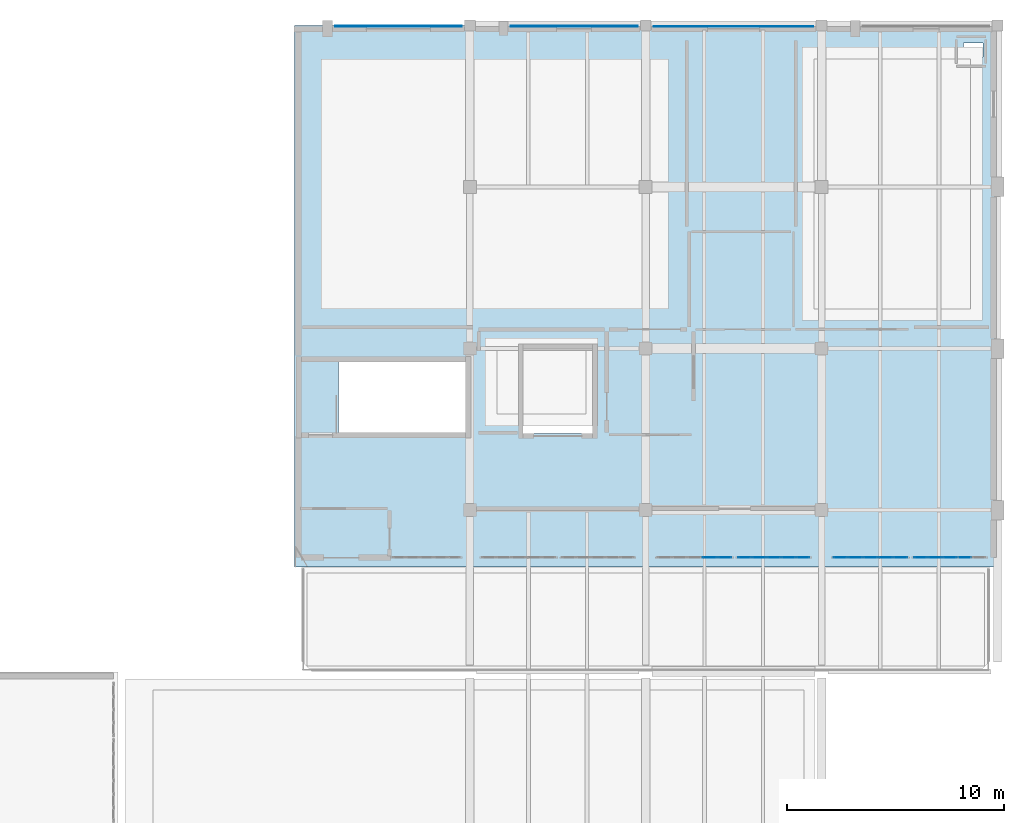
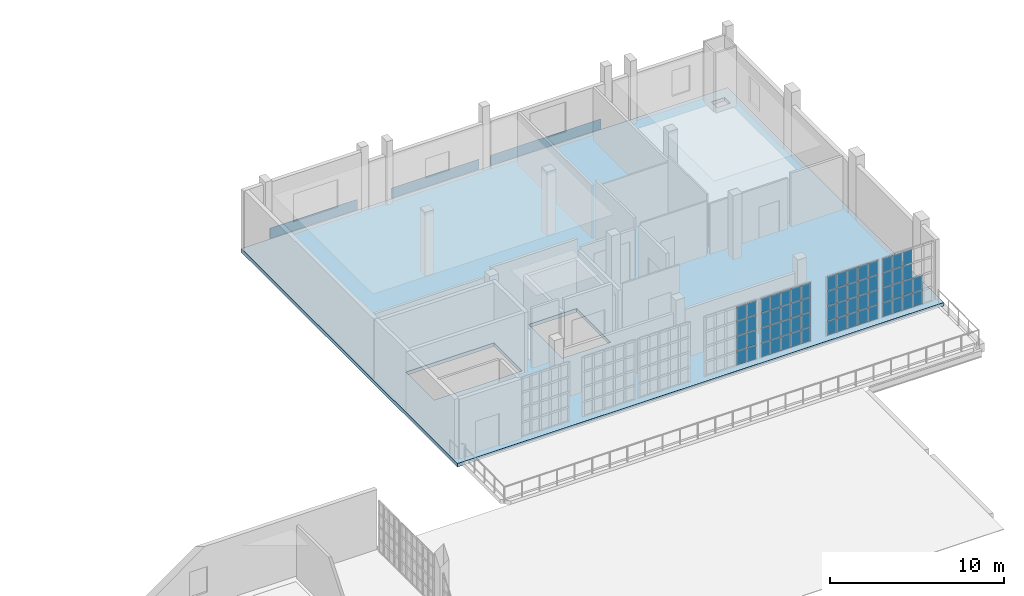
# One storey, part 40 of 56: 65 plates, 1 slab, 4 elements without a shape of their own.
"""IFC4 building model written with IfcOpenShell, lengths in metres."""

import ifcopenshell
import ifcopenshell.guid

model = None  # the IFC model being written
_history = None  # IfcOwnerHistory: only IFC2X3 demands one
_inside = {}  # id of a spatial element -> (the spatial element, [elements in it])
_under = {}  # id of a project, library or spatial element -> (it, [spatial elements below it])
_declared = {}  # id of a project -> (the project, [libraries it declares])
_typed = {}  # id of a type object -> (the type object, [elements of that type])
_made_of = {}  # id of a material, layer set ... -> (it, [elements and type objects made of it])


def new_model(schema):
    """Start an empty IFC model of exactly this schema.

    Asked for "IFC4X3", IfcOpenShell would pick the latest addendum, in which some entities
    have other attributes; the version numbers below select the first issue.
    IFC2X3 requires an IfcOwnerHistory on every rooted entity: one is made here for all.
    """
    global model, _history
    if schema == "IFC4X3":
        model = ifcopenshell.file(schema_version=(4, 3, 0, 0))
    else:
        model = ifcopenshell.file(schema=schema)
    _inside.clear()
    _under.clear()
    _declared.clear()
    _typed.clear()
    _made_of.clear()
    _history = None
    if model.schema == "IFC2X3":
        org = make("IfcOrganization", Name="unknown")
        user = make(
            "IfcPersonAndOrganization",
            ThePerson=make("IfcPerson", FamilyName="unknown"),
            TheOrganization=org,
        )
        app = make(
            "IfcApplication",
            ApplicationDeveloper=org,
            Version="unknown",
            ApplicationFullName="unknown",
            ApplicationIdentifier="unknown",
        )
        _history = make(
            "IfcOwnerHistory",
            OwningUser=user,
            OwningApplication=app,
            ChangeAction="ADDED",
            CreationDate=0,
        )
    return model


def make(cls, **values):
    """One entity of the class cls with the attributes given. An attribute that is None is left unset."""
    return model.create_entity(
        cls, **{name: value for name, value in values.items() if value is not None}
    )


def rooted(cls, **values):
    """An entity with a GlobalId (a new one), such as an element, a storey or a relation."""
    return make(cls, GlobalId=ifcopenshell.guid.new(), OwnerHistory=_history, **values)


def si_unit(unit_type, name, prefix=None):
    """IfcSIUnit, for example si_unit("LENGTHUNIT", "METRE", prefix="MILLI")."""
    return make("IfcSIUnit", UnitType=unit_type, Prefix=prefix, Name=name)


def assignment(units):
    """IfcUnitAssignment: the units of a project."""
    return None if units is None else make("IfcUnitAssignment", Units=units)


def point(xyz):
    """IfcCartesianPoint."""
    return None if xyz is None else make("IfcCartesianPoint", Coordinates=xyz)


def direction(xyz):
    """IfcDirection."""
    return None if xyz is None else make("IfcDirection", DirectionRatios=xyz)


def frame(location, z_axis=None, x_axis=None):
    """IfcAxis2Placement3D, a coordinate frame: its origin and axes. An axis left out is left unset."""
    return make(
        "IfcAxis2Placement3D",
        Location=point(location),
        Axis=direction(z_axis),
        RefDirection=direction(x_axis),
    )


def frame_2d(location, x_axis=None):
    """IfcAxis2Placement2D, a coordinate frame in the plane: its origin and x axis."""
    return make(
        "IfcAxis2Placement2D", Location=point(location), RefDirection=direction(x_axis)
    )


def origin():
    """The frame at (0, 0, 0) with its axes left unset."""
    return frame((0.0, 0.0, 0.0))


def origin_2d():
    """The frame at (0, 0) in the plane with its x axis left unset."""
    return frame_2d((0.0, 0.0))


def place(relative_to, where):
    """IfcLocalPlacement: puts the frame where relative to a parent placement (None: the world)."""
    return make(
        "IfcLocalPlacement", PlacementRelTo=relative_to, RelativePlacement=where
    )


def context(
    kind, dimensions, precision=None, world=None, true_north=None, identifier=None
):
    """IfcGeometricRepresentationContext, for example the 3D "Model" context."""
    return make(
        "IfcGeometricRepresentationContext",
        ContextIdentifier=identifier,
        ContextType=kind,
        CoordinateSpaceDimension=dimensions,
        Precision=precision,
        WorldCoordinateSystem=world,
        TrueNorth=true_north,
    )


def subcontext(parent, identifier, kind, view, scale=None):
    """IfcGeometricRepresentationSubContext, for example "Body" below "Model"."""
    return make(
        "IfcGeometricRepresentationSubContext",
        ContextIdentifier=identifier,
        ContextType=kind,
        ParentContext=parent,
        TargetScale=scale,
        TargetView=view,
    )


def project(units=None, contexts=None):
    """IfcProject with its units and contexts."""
    return rooted(
        "IfcProject",
        Name="project",
        RepresentationContexts=contexts,
        UnitsInContext=assignment(units),
    )


def spatial(cls, under=None, at=None, **own):
    """A site, building, storey or space (cls), placed at a placement, below another one or the project."""
    s = rooted(cls, ObjectPlacement=at, **own)
    if under is not None:
        _under.setdefault(under.id(), (under, []))[1].append(s)
    return s


def polyline(points):
    """IfcPolyline through the points."""
    return make("IfcPolyline", Points=[point(p) for p in points])


def profile(cls, at=None, kind="AREA", **sizes):
    """A parametric profile (cls). Its sizes go by their IFC names, for example OverallWidth=200.0."""
    return make(cls, ProfileType=kind, Position=at, **sizes)


def rectangle(**sizes):
    """IfcRectangleProfileDef."""
    return profile("IfcRectangleProfileDef", **sizes)


def outline(outer, holes=None, kind="AREA"):
    """IfcArbitraryClosedProfileDef: a profile drawn as a closed curve; with holes, ...WithVoids."""
    if holes is None:
        return make("IfcArbitraryClosedProfileDef", ProfileType=kind, OuterCurve=outer)
    return make(
        "IfcArbitraryProfileDefWithVoids",
        ProfileType=kind,
        OuterCurve=outer,
        InnerCurves=holes,
    )


def extrude(swept, where, along, depth):
    """IfcExtrudedAreaSolid: the profile swept, set in the frame where, extruded along a direction by depth."""
    return make(
        "IfcExtrudedAreaSolid",
        SweptArea=swept,
        Position=where,
        ExtrudedDirection=direction(along),
        Depth=depth,
    )


def shape(context_of_items, identifier, shape_type, items):
    """IfcShapeRepresentation: the items that make up one representation, for example the "Body"."""
    return make(
        "IfcShapeRepresentation",
        ContextOfItems=context_of_items,
        RepresentationIdentifier=identifier,
        RepresentationType=shape_type,
        Items=items,
    )


def material(Name=None, Category=None):
    """IfcMaterial."""
    return make("IfcMaterial", Name=Name, Category=Category)


def layer(
    of_material, thickness, ventilated=None, Name=None, Category=None, Priority=None
):
    """IfcMaterialLayer: one layer of a wall or slab, of a material (None: an air gap)."""
    return make(
        "IfcMaterialLayer",
        Material=of_material,
        LayerThickness=thickness,
        IsVentilated=ventilated,
        Name=Name,
        Category=Category,
        Priority=Priority,
    )


def layer_set(layers, Name=None):
    """IfcMaterialLayerSet."""
    return make("IfcMaterialLayerSet", MaterialLayers=layers, LayerSetName=Name)


def made_of(thing, what):
    """Note that an element or type object is made of a material, layer set ...; save() writes the relation."""
    if what is not None:
        _made_of.setdefault(what.id(), (what, []))[1].append(thing)
    return thing


def type_object(cls, material=None, **own):
    """A type object (cls), such as IfcWallType, which elements share."""
    return made_of(rooted(cls, **own), material)


def element(
    cls,
    number,
    at=None,
    inside=None,
    cuts=None,
    type_object=None,
    material=None,
    context=None,
    identifier="Body",
    shape_type=None,
    held_by="IfcProductDefinitionShape",
    body=None,
    shapes=None,
    **own,
):
    """One element of the class cls, such as IfcWall. Its Tag is "e" and its number.

    at: its placement. inside: the storey or other place that contains it. cuts: it is an
    opening in that element (IfcRelVoidsElement). A single representation is given by context,
    identifier, shape_type and body (its items); several are given by shapes. held_by: the class
    of the entity that holds the representations. save() writes the other relations.
    """
    e = rooted(cls, Tag="e%d" % number, ObjectPlacement=at, **own)
    if body is not None:
        shapes = [shape(context, identifier, shape_type, body)]
    if shapes is not None:
        e.Representation = make(held_by, Representations=shapes)
    if inside is not None:
        _inside.setdefault(inside.id(), (inside, []))[1].append(e)
    if cuts is not None:
        rooted(
            "IfcRelVoidsElement", RelatingBuildingElement=cuts, RelatedOpeningElement=e
        )
    if type_object is not None:
        _typed.setdefault(type_object.id(), (type_object, []))[1].append(e)
    return made_of(e, material)


def aggregate(whole, parts):
    """IfcRelAggregates: a whole, such as a stair, and the parts it consists of."""
    return rooted("IfcRelAggregates", RelatingObject=whole, RelatedObjects=parts)


def save(model, path):
    """Write the relations noted so far, then the file.

    IfcRelAggregates (storeys below a building ...), IfcRelContainedInSpatialStructure (elements
    in a storey), IfcRelDefinesByType, IfcRelAssociatesMaterial and IfcRelDeclares: one each for
    every whole, place, type object, material and project.
    """
    for whole, parts in _under.values():
        aggregate(whole, parts)
    for where, things in _inside.values():
        rooted(
            "IfcRelContainedInSpatialStructure",
            RelatedElements=things,
            RelatingStructure=where,
        )
    for kind, things in _typed.values():
        rooted("IfcRelDefinesByType", RelatedObjects=things, RelatingType=kind)
    for what, things in _made_of.values():
        rooted("IfcRelAssociatesMaterial", RelatedObjects=things, RelatingMaterial=what)
    for by, libraries in _declared.values():
        rooted("IfcRelDeclares", RelatingContext=by, RelatedDefinitions=libraries)
    model.write(path)


model = new_model("IFC4")

# Units and contexts
model_context = context("Model", 3, precision=1e-05, world=origin(), true_north=direction((0.0, 1.0)))
body_context = subcontext(model_context, "Body", "Model", "MODEL_VIEW")
ifc_project = project(units=[si_unit("LENGTHUNIT", "METRE"), si_unit("AREAUNIT", "SQUARE_METRE"), si_unit("VOLUMEUNIT", "CUBIC_METRE"), si_unit("PLANEANGLEUNIT", "RADIAN"), si_unit("MASSUNIT", "GRAM", prefix="KILO")], contexts=[model_context])

# Site, building, storey
site_placement = place(None, origin())
site = spatial("IfcSite", under=ifc_project, at=site_placement, CompositionType="ELEMENT")
building_placement = place(site_placement, origin())
building = spatial("IfcBuilding", under=site, at=building_placement, Name="Kaelora Sail Theatre", CompositionType="ELEMENT")
storey_placement = place(building_placement, frame((0.0, 0.0, 14.699951171875)))
storey = spatial("IfcBuildingStorey", under=building, at=storey_placement, Name="L03", CompositionType="ELEMENT", Elevation=14.699951171875)

# Curtain wall, plates
ifc_material_1 = material(Name="Anodised aluminium and solar-control low-E IGU", Category="aluminium")
curtain_wall_type = type_object("IfcCurtainWallType", Name="ARC-CW-CW-NWG", PredefinedType="NOTDEFINED", material=ifc_material_1)
curtain_wall_1_placement = place(storey_placement, origin())
curtain_wall_1 = element("IfcCurtainWall", 1, at=curtain_wall_1_placement, inside=storey, type_object=curtain_wall_type, Name="Glazed Foyer/Conservatory Curtain Wall NW4-S-L03-04", PredefinedType="NOTDEFINED")
ifc_material_2 = material(Name="Solar-control laminated low-E glass", Category="glass")
ifc_layer_1 = layer(ifc_material_2, 0.031982421875)
ifc_layer_set_1 = layer_set([ifc_layer_1], Name="Solar-control laminated low-E glass")
plate_type_1 = type_object("IfcPlateType", Name="ARC-CW-PNL", PredefinedType="CURTAIN_PANEL", material=ifc_layer_set_1)
plate_1_placement = place(storey_placement, frame((117.85009765625, 88.590087890625, 0.070068359375), z_axis=(0.0, 0.0, 1.0), x_axis=(1.0, 0.0, 0.0)))
plate_1 = element("IfcPlate", 2, at=plate_1_placement, type_object=plate_type_1, Name="CW-NWG panel 4.1", PredefinedType="CURTAIN_PANEL", context=body_context, shape_type="SweptSolid", body=[
    extrude(rectangle(XDim=0.639892578125, YDim=0.031982421875, at=origin_2d()), origin(), (0.0, 0.0, 1.0), 0.951171875),
])
plate_2_placement = place(storey_placement, frame((117.85009765625, 88.590087890625, 1.09130859375), z_axis=(0.0, 0.0, 1.0), x_axis=(1.0, 0.0, 0.0)))
plate_2 = element("IfcPlate", 3, at=plate_2_placement, type_object=plate_type_1, Name="CW-NWG panel 4.2", PredefinedType="CURTAIN_PANEL", context=body_context, shape_type="SweptSolid", body=[
    extrude(rectangle(XDim=0.639892578125, YDim=0.031982421875, at=origin_2d()), origin(), (0.0, 0.0, 1.0), 0.986328125),
])
plate_3_placement = place(storey_placement, frame((117.85009765625, 88.590087890625, 2.1474609375), z_axis=(0.0, 0.0, 1.0), x_axis=(1.0, 0.0, 0.0)))
plate_3 = element("IfcPlate", 4, at=plate_3_placement, type_object=plate_type_1, Name="CW-NWG panel 4.3", PredefinedType="CURTAIN_PANEL", context=body_context, shape_type="SweptSolid", body=[
    extrude(rectangle(XDim=0.639892578125, YDim=0.031982421875, at=origin_2d()), origin(), (0.0, 0.0, 1.0), 0.986083984375),
])
plate_4_placement = place(storey_placement, frame((117.85009765625, 88.590087890625, 3.20361328125), z_axis=(0.0, 0.0, 1.0), x_axis=(1.0, 0.0, 0.0)))
plate_4 = element("IfcPlate", 5, at=plate_4_placement, type_object=plate_type_1, Name="CW-NWG panel 4.4", PredefinedType="CURTAIN_PANEL", context=body_context, shape_type="SweptSolid", body=[
    extrude(rectangle(XDim=0.639892578125, YDim=0.031982421875, at=origin_2d()), origin(), (0.0, 0.0, 1.0), 0.951416015625),
])
plate_5_placement = place(storey_placement, frame((118.534912109375, 88.590087890625, 0.070068359375), z_axis=(0.0, 0.0, 1.0), x_axis=(1.0, 0.0, 0.0)))
plate_5 = element("IfcPlate", 6, at=plate_5_placement, type_object=plate_type_1, Name="CW-NWG panel 5.1", PredefinedType="CURTAIN_PANEL", context=body_context, shape_type="SweptSolid", body=[
    extrude(rectangle(XDim=0.610107421875, YDim=0.031982421875, at=origin_2d()), origin(), (0.0, 0.0, 1.0), 0.951171875),
])
plate_6_placement = place(storey_placement, frame((118.534912109375, 88.590087890625, 1.09130859375), z_axis=(0.0, 0.0, 1.0), x_axis=(1.0, 0.0, 0.0)))
plate_6 = element("IfcPlate", 7, at=plate_6_placement, type_object=plate_type_1, Name="CW-NWG panel 5.2", PredefinedType="CURTAIN_PANEL", context=body_context, shape_type="SweptSolid", body=[
    extrude(rectangle(XDim=0.610107421875, YDim=0.031982421875, at=origin_2d()), origin(), (0.0, 0.0, 1.0), 0.986328125),
])
plate_7_placement = place(storey_placement, frame((118.534912109375, 88.590087890625, 2.1474609375), z_axis=(0.0, 0.0, 1.0), x_axis=(1.0, 0.0, 0.0)))
plate_7 = element("IfcPlate", 8, at=plate_7_placement, type_object=plate_type_1, Name="CW-NWG panel 5.3", PredefinedType="CURTAIN_PANEL", context=body_context, shape_type="SweptSolid", body=[
    extrude(rectangle(XDim=0.610107421875, YDim=0.031982421875, at=origin_2d()), origin(), (0.0, 0.0, 1.0), 0.986083984375),
])
plate_8_placement = place(storey_placement, frame((118.534912109375, 88.590087890625, 3.20361328125), z_axis=(0.0, 0.0, 1.0), x_axis=(1.0, 0.0, 0.0)))
plate_8 = element("IfcPlate", 9, at=plate_8_placement, type_object=plate_type_1, Name="CW-NWG panel 5.4", PredefinedType="CURTAIN_PANEL", context=body_context, shape_type="SweptSolid", body=[
    extrude(rectangle(XDim=0.610107421875, YDim=0.031982421875, at=origin_2d()), origin(), (0.0, 0.0, 1.0), 0.951416015625),
])
aggregate(curtain_wall_1, [plate_1, plate_2, plate_3, plate_4, plate_5, plate_6, plate_7, plate_8])

curtain_wall_2_placement = place(storey_placement, origin())
curtain_wall_2 = element("IfcCurtainWall", 10, at=curtain_wall_2_placement, inside=storey, type_object=curtain_wall_type, Name="Glazed Foyer/Conservatory Curtain Wall NW4-S-L03-05", PredefinedType="NOTDEFINED")
plate_9_placement = place(storey_placement, frame((119.455078125, 88.590087890625, 0.070068359375), z_axis=(0.0, 0.0, 1.0), x_axis=(1.0, 0.0, 0.0)))
plate_9 = element("IfcPlate", 11, at=plate_9_placement, type_object=plate_type_1, Name="CW-NWG panel 1.1", PredefinedType="CURTAIN_PANEL", context=body_context, shape_type="SweptSolid", body=[
    extrude(rectangle(XDim=0.590087890625, YDim=0.031982421875, at=origin_2d()), origin(), (0.0, 0.0, 1.0), 0.951171875),
])
plate_10_placement = place(storey_placement, frame((119.455078125, 88.590087890625, 1.09130859375), z_axis=(0.0, 0.0, 1.0), x_axis=(1.0, 0.0, 0.0)))
plate_10 = element("IfcPlate", 12, at=plate_10_placement, type_object=plate_type_1, Name="CW-NWG panel 1.2", PredefinedType="CURTAIN_PANEL", context=body_context, shape_type="SweptSolid", body=[
    extrude(rectangle(XDim=0.590087890625, YDim=0.031982421875, at=origin_2d()), origin(), (0.0, 0.0, 1.0), 0.986328125),
])
plate_11_placement = place(storey_placement, frame((119.455078125, 88.590087890625, 2.1474609375), z_axis=(0.0, 0.0, 1.0), x_axis=(1.0, 0.0, 0.0)))
plate_11 = element("IfcPlate", 13, at=plate_11_placement, type_object=plate_type_1, Name="CW-NWG panel 1.3", PredefinedType="CURTAIN_PANEL", context=body_context, shape_type="SweptSolid", body=[
    extrude(rectangle(XDim=0.590087890625, YDim=0.031982421875, at=origin_2d()), origin(), (0.0, 0.0, 1.0), 0.986083984375),
])
plate_12_placement = place(storey_placement, frame((119.455078125, 88.590087890625, 3.20361328125), z_axis=(0.0, 0.0, 1.0), x_axis=(1.0, 0.0, 0.0)))
plate_12 = element("IfcPlate", 14, at=plate_12_placement, type_object=plate_type_1, Name="CW-NWG panel 1.4", PredefinedType="CURTAIN_PANEL", context=body_context, shape_type="SweptSolid", body=[
    extrude(rectangle(XDim=0.590087890625, YDim=0.031982421875, at=origin_2d()), origin(), (0.0, 0.0, 1.0), 0.951416015625),
])
plate_13_placement = place(storey_placement, frame((120.1201171875, 88.590087890625, 0.070068359375), z_axis=(0.0, 0.0, 1.0), x_axis=(1.0, 0.0, 0.0)))
plate_13 = element("IfcPlate", 15, at=plate_13_placement, type_object=plate_type_1, Name="CW-NWG panel 2.1", PredefinedType="CURTAIN_PANEL", context=body_context, shape_type="SweptSolid", body=[
    extrude(rectangle(XDim=0.6201171875, YDim=0.031982421875, at=origin_2d()), origin(), (0.0, 0.0, 1.0), 0.951171875),
])
plate_14_placement = place(storey_placement, frame((120.1201171875, 88.590087890625, 1.09130859375), z_axis=(0.0, 0.0, 1.0), x_axis=(1.0, 0.0, 0.0)))
plate_14 = element("IfcPlate", 16, at=plate_14_placement, type_object=plate_type_1, Name="CW-NWG panel 2.2", PredefinedType="CURTAIN_PANEL", context=body_context, shape_type="SweptSolid", body=[
    extrude(rectangle(XDim=0.6201171875, YDim=0.031982421875, at=origin_2d()), origin(), (0.0, 0.0, 1.0), 0.986328125),
])
plate_15_placement = place(storey_placement, frame((120.1201171875, 88.590087890625, 2.1474609375), z_axis=(0.0, 0.0, 1.0), x_axis=(1.0, 0.0, 0.0)))
plate_15 = element("IfcPlate", 17, at=plate_15_placement, type_object=plate_type_1, Name="CW-NWG panel 2.3", PredefinedType="CURTAIN_PANEL", context=body_context, shape_type="SweptSolid", body=[
    extrude(rectangle(XDim=0.6201171875, YDim=0.031982421875, at=origin_2d()), origin(), (0.0, 0.0, 1.0), 0.986083984375),
])
plate_16_placement = place(storey_placement, frame((120.1201171875, 88.590087890625, 3.20361328125), z_axis=(0.0, 0.0, 1.0), x_axis=(1.0, 0.0, 0.0)))
plate_16 = element("IfcPlate", 18, at=plate_16_placement, type_object=plate_type_1, Name="CW-NWG panel 2.4", PredefinedType="CURTAIN_PANEL", context=body_context, shape_type="SweptSolid", body=[
    extrude(rectangle(XDim=0.6201171875, YDim=0.031982421875, at=origin_2d()), origin(), (0.0, 0.0, 1.0), 0.951416015625),
])
plate_17_placement = place(storey_placement, frame((120.800048828125, 88.590087890625, 0.070068359375), z_axis=(0.0, 0.0, 1.0), x_axis=(1.0, 0.0, 0.0)))
plate_17 = element("IfcPlate", 19, at=plate_17_placement, type_object=plate_type_1, Name="CW-NWG panel 3.1", PredefinedType="CURTAIN_PANEL", context=body_context, shape_type="SweptSolid", body=[
    extrude(rectangle(XDim=0.6201171875, YDim=0.031982421875, at=origin_2d()), origin(), (0.0, 0.0, 1.0), 0.951171875),
])
plate_18_placement = place(storey_placement, frame((120.800048828125, 88.590087890625, 1.09130859375), z_axis=(0.0, 0.0, 1.0), x_axis=(1.0, 0.0, 0.0)))
plate_18 = element("IfcPlate", 20, at=plate_18_placement, type_object=plate_type_1, Name="CW-NWG panel 3.2", PredefinedType="CURTAIN_PANEL", context=body_context, shape_type="SweptSolid", body=[
    extrude(rectangle(XDim=0.6201171875, YDim=0.031982421875, at=origin_2d()), origin(), (0.0, 0.0, 1.0), 0.986328125),
])
plate_19_placement = place(storey_placement, frame((120.800048828125, 88.590087890625, 2.1474609375), z_axis=(0.0, 0.0, 1.0), x_axis=(1.0, 0.0, 0.0)))
plate_19 = element("IfcPlate", 21, at=plate_19_placement, type_object=plate_type_1, Name="CW-NWG panel 3.3", PredefinedType="CURTAIN_PANEL", context=body_context, shape_type="SweptSolid", body=[
    extrude(rectangle(XDim=0.6201171875, YDim=0.031982421875, at=origin_2d()), origin(), (0.0, 0.0, 1.0), 0.986083984375),
])
plate_20_placement = place(storey_placement, frame((120.800048828125, 88.590087890625, 3.20361328125), z_axis=(0.0, 0.0, 1.0), x_axis=(1.0, 0.0, 0.0)))
plate_20 = element("IfcPlate", 22, at=plate_20_placement, type_object=plate_type_1, Name="CW-NWG panel 3.4", PredefinedType="CURTAIN_PANEL", context=body_context, shape_type="SweptSolid", body=[
    extrude(rectangle(XDim=0.6201171875, YDim=0.031982421875, at=origin_2d()), origin(), (0.0, 0.0, 1.0), 0.951416015625),
])
plate_21_placement = place(storey_placement, frame((121.47998046875, 88.590087890625, 0.070068359375), z_axis=(0.0, 0.0, 1.0), x_axis=(1.0, 0.0, 0.0)))
plate_21 = element("IfcPlate", 23, at=plate_21_placement, type_object=plate_type_1, Name="CW-NWG panel 4.1", PredefinedType="CURTAIN_PANEL", context=body_context, shape_type="SweptSolid", body=[
    extrude(rectangle(XDim=0.6201171875, YDim=0.031982421875, at=origin_2d()), origin(), (0.0, 0.0, 1.0), 0.951171875),
])
plate_22_placement = place(storey_placement, frame((121.47998046875, 88.590087890625, 1.09130859375), z_axis=(0.0, 0.0, 1.0), x_axis=(1.0, 0.0, 0.0)))
plate_22 = element("IfcPlate", 24, at=plate_22_placement, type_object=plate_type_1, Name="CW-NWG panel 4.2", PredefinedType="CURTAIN_PANEL", context=body_context, shape_type="SweptSolid", body=[
    extrude(rectangle(XDim=0.6201171875, YDim=0.031982421875, at=origin_2d()), origin(), (0.0, 0.0, 1.0), 0.986328125),
])
plate_23_placement = place(storey_placement, frame((121.47998046875, 88.590087890625, 2.1474609375), z_axis=(0.0, 0.0, 1.0), x_axis=(1.0, 0.0, 0.0)))
plate_23 = element("IfcPlate", 25, at=plate_23_placement, type_object=plate_type_1, Name="CW-NWG panel 4.3", PredefinedType="CURTAIN_PANEL", context=body_context, shape_type="SweptSolid", body=[
    extrude(rectangle(XDim=0.6201171875, YDim=0.031982421875, at=origin_2d()), origin(), (0.0, 0.0, 1.0), 0.986083984375),
])
plate_24_placement = place(storey_placement, frame((121.47998046875, 88.590087890625, 3.20361328125), z_axis=(0.0, 0.0, 1.0), x_axis=(1.0, 0.0, 0.0)))
plate_24 = element("IfcPlate", 26, at=plate_24_placement, type_object=plate_type_1, Name="CW-NWG panel 4.4", PredefinedType="CURTAIN_PANEL", context=body_context, shape_type="SweptSolid", body=[
    extrude(rectangle(XDim=0.6201171875, YDim=0.031982421875, at=origin_2d()), origin(), (0.0, 0.0, 1.0), 0.951416015625),
])
plate_25_placement = place(storey_placement, frame((122.14501953125, 88.590087890625, 0.070068359375), z_axis=(0.0, 0.0, 1.0), x_axis=(1.0, 0.0, 0.0)))
plate_25 = element("IfcPlate", 27, at=plate_25_placement, type_object=plate_type_1, Name="CW-NWG panel 5.1", PredefinedType="CURTAIN_PANEL", context=body_context, shape_type="SweptSolid", body=[
    extrude(rectangle(XDim=0.590087890625, YDim=0.031982421875, at=origin_2d()), origin(), (0.0, 0.0, 1.0), 0.951171875),
])
plate_26_placement = place(storey_placement, frame((122.14501953125, 88.590087890625, 1.09130859375), z_axis=(0.0, 0.0, 1.0), x_axis=(1.0, 0.0, 0.0)))
plate_26 = element("IfcPlate", 28, at=plate_26_placement, type_object=plate_type_1, Name="CW-NWG panel 5.2", PredefinedType="CURTAIN_PANEL", context=body_context, shape_type="SweptSolid", body=[
    extrude(rectangle(XDim=0.590087890625, YDim=0.031982421875, at=origin_2d()), origin(), (0.0, 0.0, 1.0), 0.986328125),
])
plate_27_placement = place(storey_placement, frame((122.14501953125, 88.590087890625, 2.1474609375), z_axis=(0.0, 0.0, 1.0), x_axis=(1.0, 0.0, 0.0)))
plate_27 = element("IfcPlate", 29, at=plate_27_placement, type_object=plate_type_1, Name="CW-NWG panel 5.3", PredefinedType="CURTAIN_PANEL", context=body_context, shape_type="SweptSolid", body=[
    extrude(rectangle(XDim=0.590087890625, YDim=0.031982421875, at=origin_2d()), origin(), (0.0, 0.0, 1.0), 0.986083984375),
])
plate_28_placement = place(storey_placement, frame((122.14501953125, 88.590087890625, 3.20361328125), z_axis=(0.0, 0.0, 1.0), x_axis=(1.0, 0.0, 0.0)))
plate_28 = element("IfcPlate", 30, at=plate_28_placement, type_object=plate_type_1, Name="CW-NWG panel 5.4", PredefinedType="CURTAIN_PANEL", context=body_context, shape_type="SweptSolid", body=[
    extrude(rectangle(XDim=0.590087890625, YDim=0.031982421875, at=origin_2d()), origin(), (0.0, 0.0, 1.0), 0.951416015625),
])
aggregate(curtain_wall_2, [plate_9, plate_10, plate_11, plate_12, plate_13, plate_14, plate_15, plate_16, plate_17, plate_18, plate_19, plate_20, plate_21, plate_22, plate_23, plate_24, plate_25, plate_26, plate_27, plate_28])

curtain_wall_3_placement = place(storey_placement, origin())
curtain_wall_3 = element("IfcCurtainWall", 31, at=curtain_wall_3_placement, inside=storey, type_object=curtain_wall_type, Name="Glazed Foyer/Conservatory Curtain Wall NW4-S-L03-06", PredefinedType="NOTDEFINED")
plate_29_placement = place(storey_placement, frame((123.864990234375, 88.590087890625, 0.070068359375), z_axis=(0.0, 0.0, 1.0), x_axis=(1.0, 0.0, 0.0)))
plate_29 = element("IfcPlate", 32, at=plate_29_placement, type_object=plate_type_1, Name="CW-NWG panel 1.1", PredefinedType="CURTAIN_PANEL", context=body_context, shape_type="SweptSolid", body=[
    extrude(rectangle(XDim=0.610107421875, YDim=0.031982421875, at=origin_2d()), origin(), (0.0, 0.0, 1.0), 0.951171875),
])
plate_30_placement = place(storey_placement, frame((123.864990234375, 88.590087890625, 1.09130859375), z_axis=(0.0, 0.0, 1.0), x_axis=(1.0, 0.0, 0.0)))
plate_30 = element("IfcPlate", 33, at=plate_30_placement, type_object=plate_type_1, Name="CW-NWG panel 1.2", PredefinedType="CURTAIN_PANEL", context=body_context, shape_type="SweptSolid", body=[
    extrude(rectangle(XDim=0.610107421875, YDim=0.031982421875, at=origin_2d()), origin(), (0.0, 0.0, 1.0), 0.986328125),
])
plate_31_placement = place(storey_placement, frame((123.864990234375, 88.590087890625, 2.1474609375), z_axis=(0.0, 0.0, 1.0), x_axis=(1.0, 0.0, 0.0)))
plate_31 = element("IfcPlate", 34, at=plate_31_placement, type_object=plate_type_1, Name="CW-NWG panel 1.3", PredefinedType="CURTAIN_PANEL", context=body_context, shape_type="SweptSolid", body=[
    extrude(rectangle(XDim=0.610107421875, YDim=0.031982421875, at=origin_2d()), origin(), (0.0, 0.0, 1.0), 0.986083984375),
])
plate_32_placement = place(storey_placement, frame((123.864990234375, 88.590087890625, 3.20361328125), z_axis=(0.0, 0.0, 1.0), x_axis=(1.0, 0.0, 0.0)))
plate_32 = element("IfcPlate", 35, at=plate_32_placement, type_object=plate_type_1, Name="CW-NWG panel 1.4", PredefinedType="CURTAIN_PANEL", context=body_context, shape_type="SweptSolid", body=[
    extrude(rectangle(XDim=0.610107421875, YDim=0.031982421875, at=origin_2d()), origin(), (0.0, 0.0, 1.0), 0.951416015625),
])
plate_33_placement = place(storey_placement, frame((124.550048828125, 88.590087890625, 0.070068359375), z_axis=(0.0, 0.0, 1.0), x_axis=(1.0, 0.0, 0.0)))
plate_33 = element("IfcPlate", 36, at=plate_33_placement, type_object=plate_type_1, Name="CW-NWG panel 2.1", PredefinedType="CURTAIN_PANEL", context=body_context, shape_type="SweptSolid", body=[
    extrude(rectangle(XDim=0.639892578125, YDim=0.031982421875, at=origin_2d()), origin(), (0.0, 0.0, 1.0), 0.951171875),
])
plate_34_placement = place(storey_placement, frame((124.550048828125, 88.590087890625, 1.09130859375), z_axis=(0.0, 0.0, 1.0), x_axis=(1.0, 0.0, 0.0)))
plate_34 = element("IfcPlate", 37, at=plate_34_placement, type_object=plate_type_1, Name="CW-NWG panel 2.2", PredefinedType="CURTAIN_PANEL", context=body_context, shape_type="SweptSolid", body=[
    extrude(rectangle(XDim=0.639892578125, YDim=0.031982421875, at=origin_2d()), origin(), (0.0, 0.0, 1.0), 0.986328125),
])
plate_35_placement = place(storey_placement, frame((124.550048828125, 88.590087890625, 2.1474609375), z_axis=(0.0, 0.0, 1.0), x_axis=(1.0, 0.0, 0.0)))
plate_35 = element("IfcPlate", 38, at=plate_35_placement, type_object=plate_type_1, Name="CW-NWG panel 2.3", PredefinedType="CURTAIN_PANEL", context=body_context, shape_type="SweptSolid", body=[
    extrude(rectangle(XDim=0.639892578125, YDim=0.031982421875, at=origin_2d()), origin(), (0.0, 0.0, 1.0), 0.986083984375),
])
plate_36_placement = place(storey_placement, frame((124.550048828125, 88.590087890625, 3.20361328125), z_axis=(0.0, 0.0, 1.0), x_axis=(1.0, 0.0, 0.0)))
plate_36 = element("IfcPlate", 39, at=plate_36_placement, type_object=plate_type_1, Name="CW-NWG panel 2.4", PredefinedType="CURTAIN_PANEL", context=body_context, shape_type="SweptSolid", body=[
    extrude(rectangle(XDim=0.639892578125, YDim=0.031982421875, at=origin_2d()), origin(), (0.0, 0.0, 1.0), 0.951416015625),
])
plate_37_placement = place(storey_placement, frame((125.25, 88.590087890625, 0.070068359375), z_axis=(0.0, 0.0, 1.0), x_axis=(1.0, 0.0, 0.0)))
plate_37 = element("IfcPlate", 40, at=plate_37_placement, type_object=plate_type_1, Name="CW-NWG panel 3.1", PredefinedType="CURTAIN_PANEL", context=body_context, shape_type="SweptSolid", body=[
    extrude(rectangle(XDim=0.639892578125, YDim=0.031982421875, at=origin_2d()), origin(), (0.0, 0.0, 1.0), 0.951171875),
])
plate_38_placement = place(storey_placement, frame((125.25, 88.590087890625, 1.09130859375), z_axis=(0.0, 0.0, 1.0), x_axis=(1.0, 0.0, 0.0)))
plate_38 = element("IfcPlate", 41, at=plate_38_placement, type_object=plate_type_1, Name="CW-NWG panel 3.2", PredefinedType="CURTAIN_PANEL", context=body_context, shape_type="SweptSolid", body=[
    extrude(rectangle(XDim=0.639892578125, YDim=0.031982421875, at=origin_2d()), origin(), (0.0, 0.0, 1.0), 0.986328125),
])
plate_39_placement = place(storey_placement, frame((125.25, 88.590087890625, 2.1474609375), z_axis=(0.0, 0.0, 1.0), x_axis=(1.0, 0.0, 0.0)))
plate_39 = element("IfcPlate", 42, at=plate_39_placement, type_object=plate_type_1, Name="CW-NWG panel 3.3", PredefinedType="CURTAIN_PANEL", context=body_context, shape_type="SweptSolid", body=[
    extrude(rectangle(XDim=0.639892578125, YDim=0.031982421875, at=origin_2d()), origin(), (0.0, 0.0, 1.0), 0.986083984375),
])
plate_40_placement = place(storey_placement, frame((125.25, 88.590087890625, 3.20361328125), z_axis=(0.0, 0.0, 1.0), x_axis=(1.0, 0.0, 0.0)))
plate_40 = element("IfcPlate", 43, at=plate_40_placement, type_object=plate_type_1, Name="CW-NWG panel 3.4", PredefinedType="CURTAIN_PANEL", context=body_context, shape_type="SweptSolid", body=[
    extrude(rectangle(XDim=0.639892578125, YDim=0.031982421875, at=origin_2d()), origin(), (0.0, 0.0, 1.0), 0.951416015625),
])
plate_41_placement = place(storey_placement, frame((125.949951171875, 88.590087890625, 0.070068359375), z_axis=(0.0, 0.0, 1.0), x_axis=(1.0, 0.0, 0.0)))
plate_41 = element("IfcPlate", 44, at=plate_41_placement, type_object=plate_type_1, Name="CW-NWG panel 4.1", PredefinedType="CURTAIN_PANEL", context=body_context, shape_type="SweptSolid", body=[
    extrude(rectangle(XDim=0.639892578125, YDim=0.031982421875, at=origin_2d()), origin(), (0.0, 0.0, 1.0), 0.951171875),
])
plate_42_placement = place(storey_placement, frame((125.949951171875, 88.590087890625, 1.09130859375), z_axis=(0.0, 0.0, 1.0), x_axis=(1.0, 0.0, 0.0)))
plate_42 = element("IfcPlate", 45, at=plate_42_placement, type_object=plate_type_1, Name="CW-NWG panel 4.2", PredefinedType="CURTAIN_PANEL", context=body_context, shape_type="SweptSolid", body=[
    extrude(rectangle(XDim=0.639892578125, YDim=0.031982421875, at=origin_2d()), origin(), (0.0, 0.0, 1.0), 0.986328125),
])
plate_43_placement = place(storey_placement, frame((125.949951171875, 88.590087890625, 2.1474609375), z_axis=(0.0, 0.0, 1.0), x_axis=(1.0, 0.0, 0.0)))
plate_43 = element("IfcPlate", 46, at=plate_43_placement, type_object=plate_type_1, Name="CW-NWG panel 4.3", PredefinedType="CURTAIN_PANEL", context=body_context, shape_type="SweptSolid", body=[
    extrude(rectangle(XDim=0.639892578125, YDim=0.031982421875, at=origin_2d()), origin(), (0.0, 0.0, 1.0), 0.986083984375),
])
plate_44_placement = place(storey_placement, frame((125.949951171875, 88.590087890625, 3.20361328125), z_axis=(0.0, 0.0, 1.0), x_axis=(1.0, 0.0, 0.0)))
plate_44 = element("IfcPlate", 47, at=plate_44_placement, type_object=plate_type_1, Name="CW-NWG panel 4.4", PredefinedType="CURTAIN_PANEL", context=body_context, shape_type="SweptSolid", body=[
    extrude(rectangle(XDim=0.639892578125, YDim=0.031982421875, at=origin_2d()), origin(), (0.0, 0.0, 1.0), 0.951416015625),
])
plate_45_placement = place(storey_placement, frame((126.635009765625, 88.590087890625, 0.070068359375), z_axis=(0.0, 0.0, 1.0), x_axis=(1.0, 0.0, 0.0)))
plate_45 = element("IfcPlate", 48, at=plate_45_placement, type_object=plate_type_1, Name="CW-NWG panel 5.1", PredefinedType="CURTAIN_PANEL", context=body_context, shape_type="SweptSolid", body=[
    extrude(rectangle(XDim=0.610107421875, YDim=0.031982421875, at=origin_2d()), origin(), (0.0, 0.0, 1.0), 0.951171875),
])
plate_46_placement = place(storey_placement, frame((126.635009765625, 88.590087890625, 1.09130859375), z_axis=(0.0, 0.0, 1.0), x_axis=(1.0, 0.0, 0.0)))
plate_46 = element("IfcPlate", 49, at=plate_46_placement, type_object=plate_type_1, Name="CW-NWG panel 5.2", PredefinedType="CURTAIN_PANEL", context=body_context, shape_type="SweptSolid", body=[
    extrude(rectangle(XDim=0.610107421875, YDim=0.031982421875, at=origin_2d()), origin(), (0.0, 0.0, 1.0), 0.986328125),
])
plate_47_placement = place(storey_placement, frame((126.635009765625, 88.590087890625, 2.1474609375), z_axis=(0.0, 0.0, 1.0), x_axis=(1.0, 0.0, 0.0)))
plate_47 = element("IfcPlate", 50, at=plate_47_placement, type_object=plate_type_1, Name="CW-NWG panel 5.3", PredefinedType="CURTAIN_PANEL", context=body_context, shape_type="SweptSolid", body=[
    extrude(rectangle(XDim=0.610107421875, YDim=0.031982421875, at=origin_2d()), origin(), (0.0, 0.0, 1.0), 0.986083984375),
])
plate_48_placement = place(storey_placement, frame((126.635009765625, 88.590087890625, 3.20361328125), z_axis=(0.0, 0.0, 1.0), x_axis=(1.0, 0.0, 0.0)))
plate_48 = element("IfcPlate", 51, at=plate_48_placement, type_object=plate_type_1, Name="CW-NWG panel 5.4", PredefinedType="CURTAIN_PANEL", context=body_context, shape_type="SweptSolid", body=[
    extrude(rectangle(XDim=0.610107421875, YDim=0.031982421875, at=origin_2d()), origin(), (0.0, 0.0, 1.0), 0.951416015625),
])
aggregate(curtain_wall_3, [plate_29, plate_30, plate_31, plate_32, plate_33, plate_34, plate_35, plate_36, plate_37, plate_38, plate_39, plate_40, plate_41, plate_42, plate_43, plate_44, plate_45, plate_46, plate_47, plate_48])

curtain_wall_4_placement = place(storey_placement, origin())
curtain_wall_4 = element("IfcCurtainWall", 52, at=curtain_wall_4_placement, inside=storey, type_object=curtain_wall_type, Name="Glazed Foyer/Conservatory Curtain Wall NW4-S-L03-07", PredefinedType="NOTDEFINED")
plate_49_placement = place(storey_placement, frame((127.554931640625, 88.590087890625, 0.070068359375), z_axis=(0.0, 0.0, 1.0), x_axis=(1.0, 0.0, 0.0)))
plate_49 = element("IfcPlate", 53, at=plate_49_placement, type_object=plate_type_1, Name="CW-NWG panel 1.1", PredefinedType="CURTAIN_PANEL", context=body_context, shape_type="SweptSolid", body=[
    extrude(rectangle(XDim=0.590087890625, YDim=0.031982421875, at=origin_2d()), origin(), (0.0, 0.0, 1.0), 0.951171875),
])
plate_50_placement = place(storey_placement, frame((127.554931640625, 88.590087890625, 1.09130859375), z_axis=(0.0, 0.0, 1.0), x_axis=(1.0, 0.0, 0.0)))
plate_50 = element("IfcPlate", 54, at=plate_50_placement, type_object=plate_type_1, Name="CW-NWG panel 1.2", PredefinedType="CURTAIN_PANEL", context=body_context, shape_type="SweptSolid", body=[
    extrude(rectangle(XDim=0.590087890625, YDim=0.031982421875, at=origin_2d()), origin(), (0.0, 0.0, 1.0), 0.986328125),
])
plate_51_placement = place(storey_placement, frame((127.554931640625, 88.590087890625, 2.1474609375), z_axis=(0.0, 0.0, 1.0), x_axis=(1.0, 0.0, 0.0)))
plate_51 = element("IfcPlate", 55, at=plate_51_placement, type_object=plate_type_1, Name="CW-NWG panel 1.3", PredefinedType="CURTAIN_PANEL", context=body_context, shape_type="SweptSolid", body=[
    extrude(rectangle(XDim=0.590087890625, YDim=0.031982421875, at=origin_2d()), origin(), (0.0, 0.0, 1.0), 0.986083984375),
])
plate_52_placement = place(storey_placement, frame((127.554931640625, 88.590087890625, 3.20361328125), z_axis=(0.0, 0.0, 1.0), x_axis=(1.0, 0.0, 0.0)))
plate_52 = element("IfcPlate", 56, at=plate_52_placement, type_object=plate_type_1, Name="CW-NWG panel 1.4", PredefinedType="CURTAIN_PANEL", context=body_context, shape_type="SweptSolid", body=[
    extrude(rectangle(XDim=0.590087890625, YDim=0.031982421875, at=origin_2d()), origin(), (0.0, 0.0, 1.0), 0.951416015625),
])
plate_53_placement = place(storey_placement, frame((128.219970703125, 88.590087890625, 0.070068359375), z_axis=(0.0, 0.0, 1.0), x_axis=(1.0, 0.0, 0.0)))
plate_53 = element("IfcPlate", 57, at=plate_53_placement, type_object=plate_type_1, Name="CW-NWG panel 2.1", PredefinedType="CURTAIN_PANEL", context=body_context, shape_type="SweptSolid", body=[
    extrude(rectangle(XDim=0.6201171875, YDim=0.031982421875, at=origin_2d()), origin(), (0.0, 0.0, 1.0), 0.951171875),
])
plate_54_placement = place(storey_placement, frame((128.219970703125, 88.590087890625, 1.09130859375), z_axis=(0.0, 0.0, 1.0), x_axis=(1.0, 0.0, 0.0)))
plate_54 = element("IfcPlate", 58, at=plate_54_placement, type_object=plate_type_1, Name="CW-NWG panel 2.2", PredefinedType="CURTAIN_PANEL", context=body_context, shape_type="SweptSolid", body=[
    extrude(rectangle(XDim=0.6201171875, YDim=0.031982421875, at=origin_2d()), origin(), (0.0, 0.0, 1.0), 0.986328125),
])
plate_55_placement = place(storey_placement, frame((128.219970703125, 88.590087890625, 2.1474609375), z_axis=(0.0, 0.0, 1.0), x_axis=(1.0, 0.0, 0.0)))
plate_55 = element("IfcPlate", 59, at=plate_55_placement, type_object=plate_type_1, Name="CW-NWG panel 2.3", PredefinedType="CURTAIN_PANEL", context=body_context, shape_type="SweptSolid", body=[
    extrude(rectangle(XDim=0.6201171875, YDim=0.031982421875, at=origin_2d()), origin(), (0.0, 0.0, 1.0), 0.986083984375),
])
plate_56_placement = place(storey_placement, frame((128.219970703125, 88.590087890625, 3.20361328125), z_axis=(0.0, 0.0, 1.0), x_axis=(1.0, 0.0, 0.0)))
plate_56 = element("IfcPlate", 60, at=plate_56_placement, type_object=plate_type_1, Name="CW-NWG panel 2.4", PredefinedType="CURTAIN_PANEL", context=body_context, shape_type="SweptSolid", body=[
    extrude(rectangle(XDim=0.6201171875, YDim=0.031982421875, at=origin_2d()), origin(), (0.0, 0.0, 1.0), 0.951416015625),
])
plate_57_placement = place(storey_placement, frame((128.89990234375, 88.590087890625, 0.070068359375), z_axis=(0.0, 0.0, 1.0), x_axis=(1.0, 0.0, 0.0)))
plate_57 = element("IfcPlate", 61, at=plate_57_placement, type_object=plate_type_1, Name="CW-NWG panel 3.1", PredefinedType="CURTAIN_PANEL", context=body_context, shape_type="SweptSolid", body=[
    extrude(rectangle(XDim=0.6201171875, YDim=0.031982421875, at=origin_2d()), origin(), (0.0, 0.0, 1.0), 0.951171875),
])
plate_58_placement = place(storey_placement, frame((128.89990234375, 88.590087890625, 1.09130859375), z_axis=(0.0, 0.0, 1.0), x_axis=(1.0, 0.0, 0.0)))
plate_58 = element("IfcPlate", 62, at=plate_58_placement, type_object=plate_type_1, Name="CW-NWG panel 3.2", PredefinedType="CURTAIN_PANEL", context=body_context, shape_type="SweptSolid", body=[
    extrude(rectangle(XDim=0.6201171875, YDim=0.031982421875, at=origin_2d()), origin(), (0.0, 0.0, 1.0), 0.986328125),
])
plate_59_placement = place(storey_placement, frame((128.89990234375, 88.590087890625, 2.1474609375), z_axis=(0.0, 0.0, 1.0), x_axis=(1.0, 0.0, 0.0)))
plate_59 = element("IfcPlate", 63, at=plate_59_placement, type_object=plate_type_1, Name="CW-NWG panel 3.3", PredefinedType="CURTAIN_PANEL", context=body_context, shape_type="SweptSolid", body=[
    extrude(rectangle(XDim=0.6201171875, YDim=0.031982421875, at=origin_2d()), origin(), (0.0, 0.0, 1.0), 0.986083984375),
])
plate_60_placement = place(storey_placement, frame((128.89990234375, 88.590087890625, 3.20361328125), z_axis=(0.0, 0.0, 1.0), x_axis=(1.0, 0.0, 0.0)))
plate_60 = element("IfcPlate", 64, at=plate_60_placement, type_object=plate_type_1, Name="CW-NWG panel 3.4", PredefinedType="CURTAIN_PANEL", context=body_context, shape_type="SweptSolid", body=[
    extrude(rectangle(XDim=0.6201171875, YDim=0.031982421875, at=origin_2d()), origin(), (0.0, 0.0, 1.0), 0.951416015625),
])
plate_61_placement = place(storey_placement, frame((129.580078125, 88.590087890625, 0.070068359375), z_axis=(0.0, 0.0, 1.0), x_axis=(1.0, 0.0, 0.0)))
plate_61 = element("IfcPlate", 65, at=plate_61_placement, type_object=plate_type_1, Name="CW-NWG panel 4.1", PredefinedType="CURTAIN_PANEL", context=body_context, shape_type="SweptSolid", body=[
    extrude(rectangle(XDim=0.6201171875, YDim=0.031982421875, at=origin_2d()), origin(), (0.0, 0.0, 1.0), 0.951171875),
])
plate_62_placement = place(storey_placement, frame((129.580078125, 88.590087890625, 1.09130859375), z_axis=(0.0, 0.0, 1.0), x_axis=(1.0, 0.0, 0.0)))
plate_62 = element("IfcPlate", 66, at=plate_62_placement, type_object=plate_type_1, Name="CW-NWG panel 4.2", PredefinedType="CURTAIN_PANEL", context=body_context, shape_type="SweptSolid", body=[
    extrude(rectangle(XDim=0.6201171875, YDim=0.031982421875, at=origin_2d()), origin(), (0.0, 0.0, 1.0), 0.986328125),
])
aggregate(curtain_wall_4, [plate_49, plate_50, plate_51, plate_52, plate_53, plate_54, plate_55, plate_56, plate_57, plate_58, plate_59, plate_60, plate_61, plate_62])

# Plates
ifc_material_3 = material(Name="Anodised perforated aluminium acoustic screen", Category="aluminium")
ifc_layer_2 = layer(ifc_material_3, 0.01611328125)
ifc_layer_set_2 = layer_set([ifc_layer_2], Name="Anodised perforated aluminium acoustic screen")
plate_type_2 = type_object("IfcPlateType", Name="ARC-PL-CLD-PRF-16", PredefinedType="USERDEFINED", material=ifc_layer_set_2)
plate_63_placement = place(storey_placement, frame((118.949951171875, 113.056396484375, 0.06005859375), z_axis=(0.0, 0.0, 1.0), x_axis=(1.0, 0.0, 0.0)))
element("IfcPlate", 67, at=plate_63_placement, inside=storey, type_object=plate_type_2, Name="Postmodern Facade Entablature Spandrel L03 B15", ObjectType="ACOUSTIC SCREEN", PredefinedType="USERDEFINED", context=body_context, shape_type="SweptSolid", body=[
    extrude(rectangle(XDim=7.35009765625, YDim=0.01611328125, at=origin_2d()), origin(), (0.0, 0.0, 1.0), 0.719970703125),
])
ifc_material_4 = material(Name="Architectural glazed terracotta ceramic panel", Category="masonry")
ifc_layer_3 = layer(ifc_material_4, 0.0400390625)
ifc_layer_set_3 = layer_set([ifc_layer_3], Name="Architectural glazed terracotta ceramic panel")
plate_type_3 = type_object("IfcPlateType", Name="ARC-PL-CLD-TER-40", PredefinedType="SHEET", material=ifc_layer_set_3)
plate_64_placement = place(storey_placement, frame((103.512451171875, 113.06591796875, 0.06005859375), z_axis=(0.0, 0.0, 1.0), x_axis=(1.0, 0.0, 0.0)))
element("IfcPlate", 68, at=plate_64_placement, inside=storey, type_object=plate_type_3, Name="Postmodern Facade Entablature Spandrel L03 B13", PredefinedType="SHEET", context=body_context, shape_type="SweptSolid", body=[
    extrude(rectangle(XDim=5.824951171875, YDim=0.0400390625, at=origin_2d()), origin(), (0.0, 0.0, 1.0), 0.719970703125),
])
ifc_material_5 = material(Name="Titanium-zinc acoustic standing-seam cassette", Category="metal")
ifc_layer_4 = layer(ifc_material_5, 0.028076171875)
ifc_layer_set_4 = layer_set([ifc_layer_4], Name="Titanium-zinc acoustic standing-seam cassette")
plate_type_4 = type_object("IfcPlateType", Name="ARC-PL-CLD-ZNC-28", PredefinedType="SHEET", material=ifc_layer_set_4)
plate_65_placement = place(storey_placement, frame((111.60009765625, 113.061279296875, 0.06005859375), z_axis=(0.0, 0.0, 1.0), x_axis=(1.0, 0.0, 0.0)))
element("IfcPlate", 69, at=plate_65_placement, inside=storey, type_object=plate_type_4, Name="Postmodern Facade Entablature Spandrel L03 B14", PredefinedType="SHEET", context=body_context, shape_type="SweptSolid", body=[
    extrude(rectangle(XDim=5.85009765625, YDim=0.028076171875, at=origin_2d()), origin(), (0.0, 0.0, 1.0), 0.719970703125),
])

# Slab
ifc_material_6 = material(Name="Concrete C40/50", Category="concrete")
ifc_layer_5 = layer(ifc_material_6, 0.25)
ifc_layer_set_5 = layer_set([ifc_layer_5], Name="Concrete C40/50")
slab_type = type_object("IfcSlabType", Name="STR-SLB-SL-FL250", PredefinedType="FLOOR", material=ifc_layer_set_5)
slab_placement = place(storey_placement, frame((0.0, 0.0, -0.25)))
element("IfcSlab", 70, at=slab_placement, inside=storey, type_object=slab_type, Name="North Wing floor slab NW4 (L03)", PredefinedType="FLOOR", context=body_context, shape_type="SweptSolid", body=[
    extrude(outline(polyline([(98.715087890625, 88.155029296875), (98.715087890625, 113.10009765625), (131.0849609375, 113.10009765625), (131.0849609375, 88.155029296875), (98.715087890625, 88.155029296875)]), holes=[polyline([(100.7451171875, 94.35009765625), (106.60009765625, 94.35009765625), (106.60009765625, 97.60009765625), (100.7451171875, 97.60009765625), (100.7451171875, 94.35009765625)]), polyline([(109.25, 94.300048828125), (112.449951171875, 94.300048828125), (112.449951171875, 98.199951171875), (109.25, 98.199951171875), (109.25, 94.300048828125)]), polyline([(129.534912109375, 111.64990234375), (130.43505859375, 111.64990234375), (130.43505859375, 112.300048828125), (129.534912109375, 112.300048828125), (129.534912109375, 111.64990234375)])]), origin(), (0.0, 0.0, 1.0), 0.25),
])

save(model, "model.ifc")
